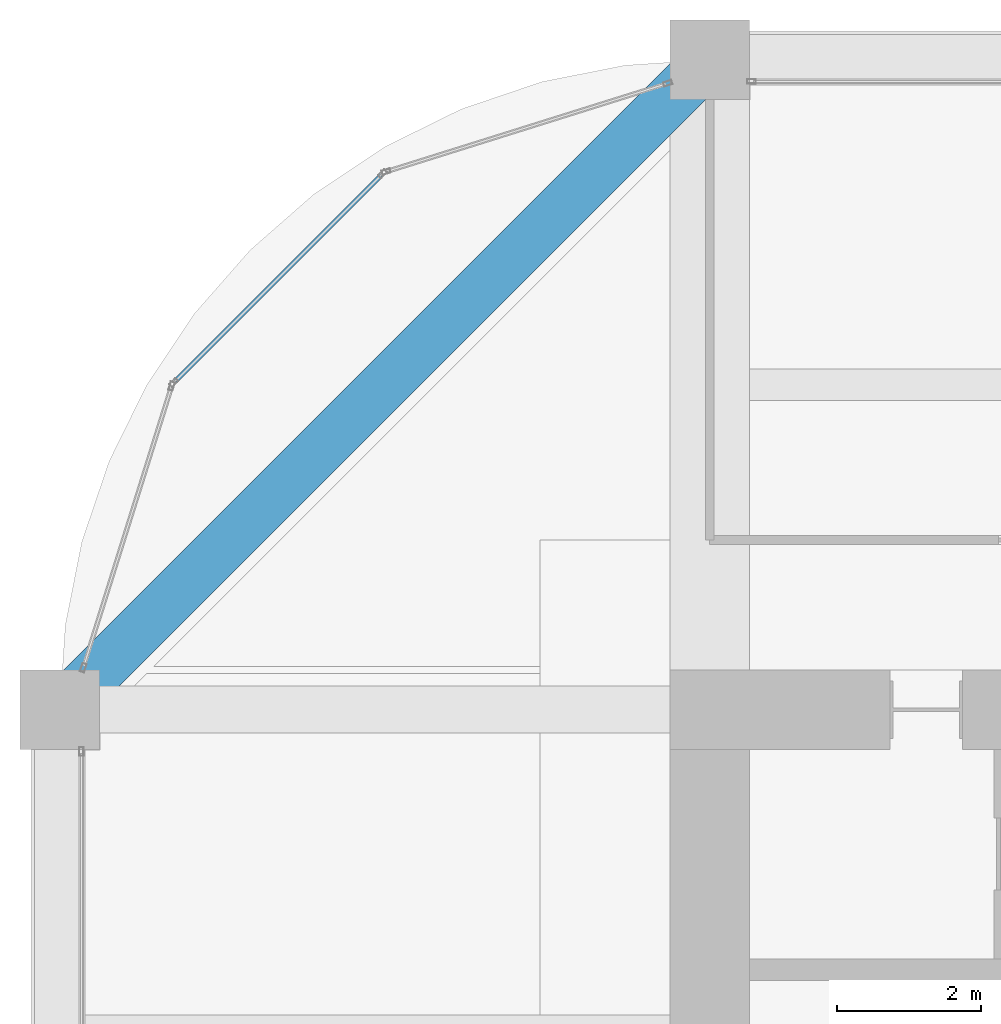
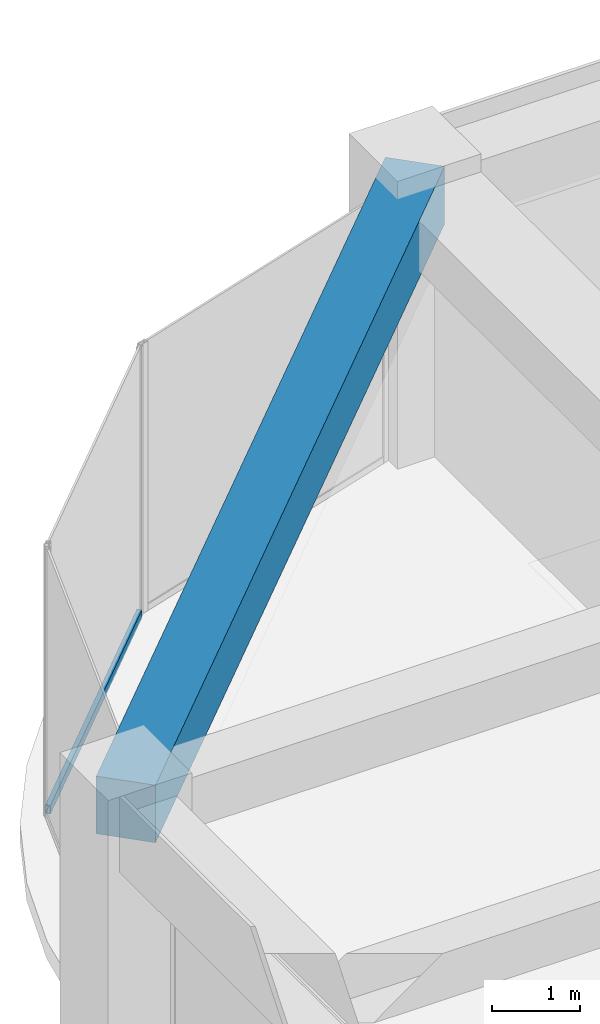
# One storey, part 29 of 45: 1 beam, 1 member, 1 element without a shape of its own.
"""IFC4 building model written with IfcOpenShell, lengths in metres."""

from ifc_helpers import new_model, si_unit, direction, frame, origin, origin_2d, place, context, subcontext, project, spatial, rectangle, hollow_rectangle, extrude, material, material_profile, profile_set, type_object, element, aggregate, save


model = new_model("IFC4")

# Units and contexts
model_context = context("Model", 3, precision=1e-05, world=origin(), true_north=direction((0.0, 1.0)))
body_context = subcontext(model_context, "Body", "Model", "MODEL_VIEW")
ifc_project = project(units=[si_unit("LENGTHUNIT", "METRE"), si_unit("AREAUNIT", "SQUARE_METRE"), si_unit("VOLUMEUNIT", "CUBIC_METRE"), si_unit("PLANEANGLEUNIT", "RADIAN"), si_unit("MASSUNIT", "GRAM", prefix="KILO")], contexts=[model_context])

# Site, building, storey
site_placement = place(None, origin())
site = spatial("IfcSite", under=ifc_project, at=site_placement, CompositionType="ELEMENT")
building_placement = place(site_placement, origin())
building = spatial("IfcBuilding", under=site, at=building_placement, Name="Zorevar Civic Tower", CompositionType="ELEMENT")
storey_placement = place(building_placement, frame((0.0, 0.0, 279.39990234375)))
storey = spatial("IfcBuildingStorey", under=building, at=storey_placement, Name="L68", CompositionType="ELEMENT", Elevation=279.39990234375)

# Curtain wall, member
ifc_material_1 = material(Name="Dark grey solar-control glass in black aluminium frame", Category="aluminium")
curtain_wall_type = type_object("IfcCurtainWallType", Name="Curtain wall CW5 top zone", PredefinedType="NOTDEFINED", material=ifc_material_1)
curtain_wall_placement = place(storey_placement, origin())
curtain_wall = element("IfcCurtainWall", 1, at=curtain_wall_placement, inside=storey, type_object=curtain_wall_type, Name="CW5 L68", PredefinedType="NOTDEFINED")
ifc_material_2 = material(Name="Aluminium, black anodised", Category="aluminium")
ifc_material_profile_1 = material_profile(ifc_material_2, hollow_rectangle(XDim=0.06005859375, YDim=0.1201171875, WallThickness=0.0029296875, at=origin_2d()), Name="AL 120x60x3")
ifc_profile_set_1 = profile_set([ifc_material_profile_1], Name="Aluminium, black anodised")
member_type = type_object("IfcMemberType", Name="CW5 transom AL 120x60x3", PredefinedType="USERDEFINED", material=ifc_profile_set_1)
member_placement = place(storey_placement, frame((13.44970703125, 43.3984375, 0.030029296875), z_axis=(-0.707106781187, -0.707106781187, 0.0), x_axis=(0.707106781187, -0.707106781187, 0.0)))
member = element("IfcMember", 2, at=member_placement, type_object=member_type, Name="CW5 sill transom", ObjectType="TRANSOM", PredefinedType="USERDEFINED", context=body_context, shape_type="SweptSolid", body=[
    extrude(hollow_rectangle(XDim=0.06005859375, YDim=0.1201171875, WallThickness=0.0029296875, at=origin_2d()), origin(), (0.0, 0.0, 1.0), 4.02783203125),
])
aggregate(curtain_wall, [member])

# Beam
ifc_material_3 = material(Name="Concrete C50/60", Category="concrete")
ifc_material_profile_2 = material_profile(ifc_material_3, rectangle(XDim=0.699951171875, YDim=0.800048828125, at=origin_2d()), Name="RC 700x800")
ifc_profile_set_2 = profile_set([ifc_material_profile_2], Name="Concrete C50/60")
beam_type = type_object("IfcBeamType", Name="Edge beam RC 700x800", PredefinedType="SPANDREL", material=ifc_profile_set_2)
beam_placement = place(storey_placement, frame((18.0, 45.0, 3.35009765625), z_axis=(-0.707106781187, -0.707106781187, 0.0), x_axis=(0.707106781187, -0.707106781187, 0.0)))
element("IfcBeam", 3, at=beam_placement, inside=storey, type_object=beam_type, Name="Corner edge beam L69", PredefinedType="SPANDREL", context=body_context, shape_type="SweptSolid", body=[
    extrude(rectangle(XDim=0.699951171875, YDim=0.800048828125, at=origin_2d()), origin(), (0.0, 0.0, 1.0), 12.72802734375),
])

save(model, "model.ifc")
